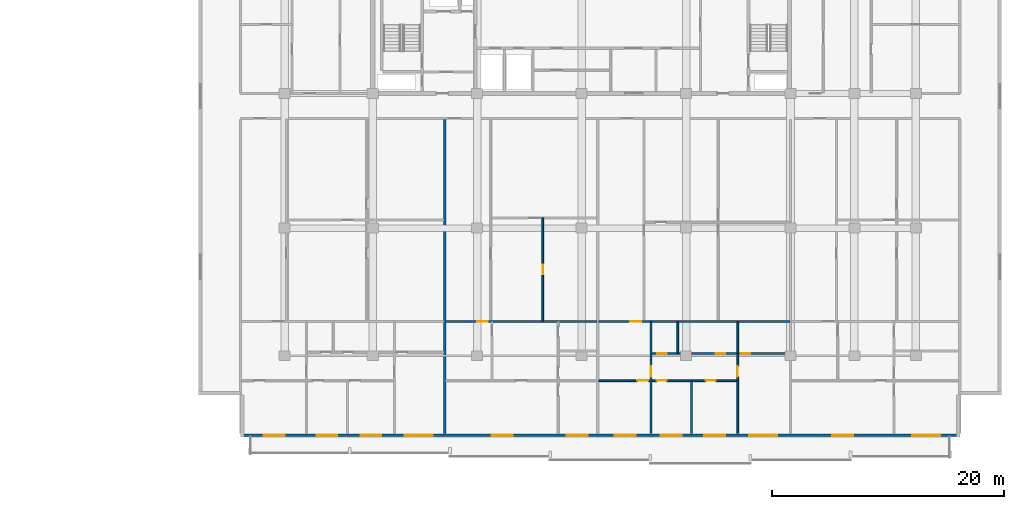
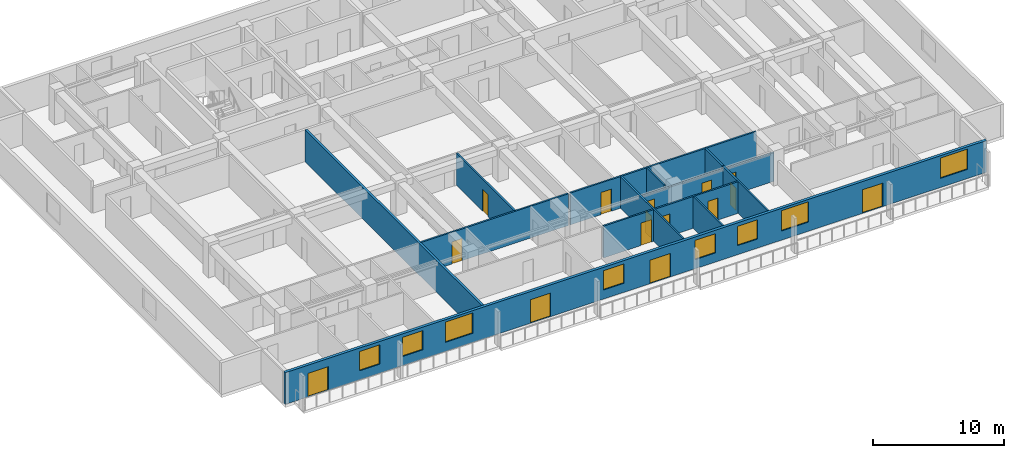
# One storey, part 5 of 23: 15 doors, 12 walls, 8 windows, 23 openings.
"""IFC4 building model written with IfcOpenShell, lengths in metres."""

from ifc_helpers import new_model, si_unit, direction, frame, frame_2d, origin, place, context, subcontext, project, spatial, rectangle, extrude, material, layer, layer_set, type_object, element, fill, save


model = new_model("IFC4")

# Units and contexts
model_context = context("Model", 3, precision=1e-05, world=origin(), true_north=direction((0.0, 1.0)))
body_context = subcontext(model_context, "Body", "Model", "MODEL_VIEW")
ifc_project = project(units=[si_unit("LENGTHUNIT", "METRE"), si_unit("AREAUNIT", "SQUARE_METRE"), si_unit("VOLUMEUNIT", "CUBIC_METRE"), si_unit("PLANEANGLEUNIT", "RADIAN"), si_unit("MASSUNIT", "GRAM", prefix="KILO")], contexts=[model_context])

# Site, building, storey
site_placement = place(None, origin())
site = spatial("IfcSite", under=ifc_project, at=site_placement, CompositionType="ELEMENT")
building_placement = place(site_placement, origin())
building = spatial("IfcBuilding", under=site, at=building_placement, Name="Korimba Cascade Residences", CompositionType="ELEMENT")
storey_placement = place(building_placement, frame((0.0, 0.0, 69.5)))
storey = spatial("IfcBuildingStorey", under=building, at=storey_placement, Name="L19", CompositionType="ELEMENT", Elevation=69.5)

# Wall, openings, doors, windows
ifc_material_1 = material(Name="Precast concrete C40/50", Category="concrete")
ifc_layer_1 = layer(ifc_material_1, 0.25)
ifc_layer_set_1 = layer_set([ifc_layer_1], Name="Precast concrete C40/50")
wall_type_1 = type_object("IfcWallType", Name="EW-LOG-250", PredefinedType="STANDARD", material=ifc_layer_set_1)
wall_1_placement = place(storey_placement, frame((70.699951171875, -11.050048828125, 0.0), z_axis=(0.0, 0.0, 1.0), x_axis=(1.0, 0.0, 0.0)))
wall_1 = element("IfcWall", 1, at=wall_1_placement, inside=storey, type_object=wall_type_1, Name="L19 T2 Perimeter Stone Wall E00", PredefinedType="STANDARD", context=body_context, shape_type="SweptSolid", body=[
    extrude(rectangle(XDim=62.0, YDim=0.25, at=frame_2d((31.0, 0.0))), origin(), (0.0, 0.0, 1.0), 2.969970703125),
])
opening_1_placement = place(wall_1_placement, frame((6.552490234375, 0.0, 0.85009765625)))
opening_1 = element("IfcOpeningElement", 2, at=opening_1_placement, cuts=wall_1, Name="Opening W-02", PredefinedType="OPENING", context=body_context, shape_type="SweptSolid", body=[
    extrude(rectangle(XDim=1.800048828125, YDim=1.800048828125, at=frame_2d((0.89990234375, 0.89990234375))), frame((0.0, 0.135009765625, 0.0), z_axis=(0.0, -1.0, 0.0), x_axis=(1.0, 0.0, 0.0)), (0.0, 0.0, 1.0), 0.27001953125),
])
opening_2_placement = place(wall_1_placement, frame((10.347412109375, 0.0, 0.85009765625)))
opening_2 = element("IfcOpeningElement", 3, at=opening_2_placement, cuts=wall_1, Name="Opening W-02", PredefinedType="OPENING", context=body_context, shape_type="SweptSolid", body=[
    extrude(rectangle(XDim=1.800048828125, YDim=1.800048828125, at=frame_2d((0.89990234375, 0.89990234375))), frame((0.0, 0.135009765625, 0.0), z_axis=(0.0, -1.0, 0.0), x_axis=(1.0, 0.0, 0.0)), (0.0, 0.0, 1.0), 0.27001953125),
])
opening_3_placement = place(wall_1_placement, frame((2.0, 0.0, 0.0)))
opening_3 = element("IfcOpeningElement", 4, at=opening_3_placement, cuts=wall_1, Name="Opening D-LG1", PredefinedType="OPENING", context=body_context, shape_type="SweptSolid", body=[
    extrude(rectangle(XDim=1.800048828125, YDim=2.199951171875, at=frame_2d((0.89990234375, 1.10009765625))), frame((0.0, 0.135009765625, 0.0), z_axis=(0.0, -1.0, 0.0), x_axis=(1.0, 0.0, 0.0)), (0.0, 0.0, 1.0), 0.27001953125),
])
opening_4_placement = place(wall_1_placement, frame((14.175048828125, 0.0, 0.85009765625)))
opening_4 = element("IfcOpeningElement", 5, at=opening_4_placement, cuts=wall_1, Name="Opening W-01", PredefinedType="OPENING", context=body_context, shape_type="SweptSolid", body=[
    extrude(rectangle(XDim=2.39990234375, YDim=1.89990234375, at=frame_2d((1.199951171875, 0.949951171875))), frame((0.0, 0.135009765625, 0.0), z_axis=(0.0, -1.0, 0.0), x_axis=(1.0, 0.0, 0.0)), (0.0, 0.0, 1.0), 0.27001953125),
])
opening_5_placement = place(wall_1_placement, frame((21.64990234375, 0.0, 0.0)))
opening_5 = element("IfcOpeningElement", 6, at=opening_5_placement, cuts=wall_1, Name="Opening D-LG1", PredefinedType="OPENING", context=body_context, shape_type="SweptSolid", body=[
    extrude(rectangle(XDim=1.800048828125, YDim=2.199951171875, at=frame_2d((0.89990234375, 1.10009765625))), frame((0.0, 0.135009765625, 0.0), z_axis=(0.0, -1.0, 0.0), x_axis=(1.0, 0.0, 0.0)), (0.0, 0.0, 1.0), 0.27001953125),
])
opening_6_placement = place(wall_1_placement, frame((28.1298828125, 0.0, 0.85009765625)))
opening_6 = element("IfcOpeningElement", 7, at=opening_6_placement, cuts=wall_1, Name="Opening W-02", PredefinedType="OPENING", context=body_context, shape_type="SweptSolid", body=[
    extrude(rectangle(XDim=1.800048828125, YDim=1.800048828125, at=frame_2d((0.89990234375, 0.89990234375))), frame((0.0, 0.135009765625, 0.0), z_axis=(0.0, -1.0, 0.0), x_axis=(1.0, 0.0, 0.0)), (0.0, 0.0, 1.0), 0.27001953125),
])
opening_7_placement = place(wall_1_placement, frame((36.222412109375, 0.0, 0.85009765625)))
opening_7 = element("IfcOpeningElement", 8, at=opening_7_placement, cuts=wall_1, Name="Opening W-02", PredefinedType="OPENING", context=body_context, shape_type="SweptSolid", body=[
    extrude(rectangle(XDim=1.800048828125, YDim=1.800048828125, at=frame_2d((0.89990234375, 0.89990234375))), frame((0.0, 0.135009765625, 0.0), z_axis=(0.0, -1.0, 0.0), x_axis=(1.0, 0.0, 0.0)), (0.0, 0.0, 1.0), 0.27001953125),
])
opening_8_placement = place(wall_1_placement, frame((39.95751953125, 0.0, 0.85009765625)))
opening_8 = element("IfcOpeningElement", 9, at=opening_8_placement, cuts=wall_1, Name="Opening W-02", PredefinedType="OPENING", context=body_context, shape_type="SweptSolid", body=[
    extrude(rectangle(XDim=1.800048828125, YDim=1.800048828125, at=frame_2d((0.89990234375, 0.89990234375))), frame((0.0, 0.135009765625, 0.0), z_axis=(0.0, -1.0, 0.0), x_axis=(1.0, 0.0, 0.0)), (0.0, 0.0, 1.0), 0.27001953125),
])
opening_9_placement = place(wall_1_placement, frame((32.25, 0.0, 0.0)))
opening_9 = element("IfcOpeningElement", 10, at=opening_9_placement, cuts=wall_1, Name="Opening D-LG1", PredefinedType="OPENING", context=body_context, shape_type="SweptSolid", body=[
    extrude(rectangle(XDim=1.800048828125, YDim=2.199951171875, at=frame_2d((0.89990234375, 1.10009765625))), frame((0.0, 0.135009765625, 0.0), z_axis=(0.0, -1.0, 0.0), x_axis=(1.0, 0.0, 0.0)), (0.0, 0.0, 1.0), 0.27001953125),
])
opening_10_placement = place(wall_1_placement, frame((43.864990234375, 0.0, 0.85009765625)))
opening_10 = element("IfcOpeningElement", 11, at=opening_10_placement, cuts=wall_1, Name="Opening W-01", PredefinedType="OPENING", context=body_context, shape_type="SweptSolid", body=[
    extrude(rectangle(XDim=2.39990234375, YDim=1.89990234375, at=frame_2d((1.199951171875, 0.949951171875))), frame((0.0, 0.135009765625, 0.0), z_axis=(0.0, -1.0, 0.0), x_axis=(1.0, 0.0, 0.0)), (0.0, 0.0, 1.0), 0.27001953125),
])
opening_11_placement = place(wall_1_placement, frame((51.02001953125, 0.0, 0.0)))
opening_11 = element("IfcOpeningElement", 12, at=opening_11_placement, cuts=wall_1, Name="Opening D-LG1", PredefinedType="OPENING", context=body_context, shape_type="SweptSolid", body=[
    extrude(rectangle(XDim=1.800048828125, YDim=2.199951171875, at=frame_2d((0.89990234375, 1.10009765625))), frame((0.0, 0.135009765625, 0.0), z_axis=(0.0, -1.0, 0.0), x_axis=(1.0, 0.0, 0.0)), (0.0, 0.0, 1.0), 0.27001953125),
])
opening_12_placement = place(wall_1_placement, frame((57.89990234375, 0.0, 0.85009765625)))
opening_12 = element("IfcOpeningElement", 13, at=opening_12_placement, cuts=wall_1, Name="Opening W-01", PredefinedType="OPENING", context=body_context, shape_type="SweptSolid", body=[
    extrude(rectangle(XDim=2.39990234375, YDim=1.89990234375, at=frame_2d((1.199951171875, 0.949951171875))), frame((0.0, 0.135009765625, 0.0), z_axis=(0.0, -1.0, 0.0), x_axis=(1.0, 0.0, 0.0)), (0.0, 0.0, 1.0), 0.27001953125),
])
ifc_material_2 = material(Name="Glazed Aluminium Loggia Sliding Door", Category="aluminium")
door_type_1 = type_object("IfcDoorType", Name="DR-EXT-LOG", OperationType="NOTDEFINED", PredefinedType="DOOR", material=ifc_material_2)
door_1_placement = place(opening_3_placement, origin())
door_1 = element("IfcDoor", 14, at=door_1_placement, inside=storey, type_object=door_type_1, Name="L19 T2 Loggia Sliding Door 5", OperationType="SLIDING_TO_RIGHT", OverallHeight=2.199951171875, OverallWidth=1.800048828125, PredefinedType="DOOR", context=body_context, shape_type="SweptSolid", body=[
    extrude(rectangle(XDim=1.800048828125, YDim=2.199951171875, at=frame_2d((0.89990234375, 1.10009765625))), frame((0.0, 0.02490234375, 0.0), z_axis=(0.0, -1.0, 0.0), x_axis=(1.0, 0.0, 0.0)), (0.0, 0.0, 1.0), 0.050048828125),
])
fill(opening_3, door_1)
door_2_placement = place(opening_5_placement, origin())
door_2 = element("IfcDoor", 15, at=door_2_placement, inside=storey, type_object=door_type_1, Name="L19 T2 Loggia Sliding Door 7", OperationType="SLIDING_TO_RIGHT", OverallHeight=2.199951171875, OverallWidth=1.800048828125, PredefinedType="DOOR", context=body_context, shape_type="SweptSolid", body=[
    extrude(rectangle(XDim=1.800048828125, YDim=2.199951171875, at=frame_2d((0.89990234375, 1.10009765625))), frame((0.0, 0.02490234375, 0.0), z_axis=(0.0, -1.0, 0.0), x_axis=(1.0, 0.0, 0.0)), (0.0, 0.0, 1.0), 0.050048828125),
])
fill(opening_5, door_2)
door_3_placement = place(opening_9_placement, origin())
door_3 = element("IfcDoor", 16, at=door_3_placement, inside=storey, type_object=door_type_1, Name="L19 T2 Loggia Sliding Door 11", OperationType="SLIDING_TO_RIGHT", OverallHeight=2.199951171875, OverallWidth=1.800048828125, PredefinedType="DOOR", context=body_context, shape_type="SweptSolid", body=[
    extrude(rectangle(XDim=1.800048828125, YDim=2.199951171875, at=frame_2d((0.89990234375, 1.10009765625))), frame((0.0, 0.02490234375, 0.0), z_axis=(0.0, -1.0, 0.0), x_axis=(1.0, 0.0, 0.0)), (0.0, 0.0, 1.0), 0.050048828125),
])
fill(opening_9, door_3)
door_4_placement = place(opening_11_placement, origin())
door_4 = element("IfcDoor", 17, at=door_4_placement, inside=storey, type_object=door_type_1, Name="L19 T2 Loggia Sliding Door 13", OperationType="SLIDING_TO_RIGHT", OverallHeight=2.199951171875, OverallWidth=1.800048828125, PredefinedType="DOOR", context=body_context, shape_type="SweptSolid", body=[
    extrude(rectangle(XDim=1.800048828125, YDim=2.199951171875, at=frame_2d((0.89990234375, 1.10009765625))), frame((0.0, 0.02490234375, 0.0), z_axis=(0.0, -1.0, 0.0), x_axis=(1.0, 0.0, 0.0)), (0.0, 0.0, 1.0), 0.050048828125),
])
fill(opening_11, door_4)
ifc_material_3 = material(Name="Double-Glazed Aluminium Window", Category="aluminium")
window_type_1 = type_object("IfcWindowType", Name="WIN-BED-1800", PartitioningType="SINGLE_PANEL", PredefinedType="WINDOW", material=ifc_material_3)
window_1_placement = place(opening_1_placement, origin())
window_1 = element("IfcWindow", 18, at=window_1_placement, inside=storey, type_object=window_type_1, Name="L19 T2 South Facade Window 3", OverallHeight=1.800048828125, OverallWidth=1.800048828125, PartitioningType="SINGLE_PANEL", PredefinedType="WINDOW", context=body_context, shape_type="SweptSolid", body=[
    extrude(rectangle(XDim=1.800048828125, YDim=1.800048828125, at=frame_2d((0.89990234375, 0.89990234375))), frame((0.0, 0.030029296875, 0.0), z_axis=(0.0, -1.0, 0.0), x_axis=(1.0, 0.0, 0.0)), (0.0, 0.0, 1.0), 0.06005859375),
])
fill(opening_1, window_1)
window_2_placement = place(opening_2_placement, origin())
window_2 = element("IfcWindow", 19, at=window_2_placement, inside=storey, type_object=window_type_1, Name="L19 T2 South Facade Window 4", OverallHeight=1.800048828125, OverallWidth=1.800048828125, PartitioningType="SINGLE_PANEL", PredefinedType="WINDOW", context=body_context, shape_type="SweptSolid", body=[
    extrude(rectangle(XDim=1.800048828125, YDim=1.800048828125, at=frame_2d((0.89990234375, 0.89990234375))), frame((0.0, 0.030029296875, 0.0), z_axis=(0.0, -1.0, 0.0), x_axis=(1.0, 0.0, 0.0)), (0.0, 0.0, 1.0), 0.06005859375),
])
fill(opening_2, window_2)
window_3_placement = place(opening_6_placement, origin())
window_3 = element("IfcWindow", 20, at=window_3_placement, inside=storey, type_object=window_type_1, Name="L19 T2 South Facade Window 8", OverallHeight=1.800048828125, OverallWidth=1.800048828125, PartitioningType="SINGLE_PANEL", PredefinedType="WINDOW", context=body_context, shape_type="SweptSolid", body=[
    extrude(rectangle(XDim=1.800048828125, YDim=1.800048828125, at=frame_2d((0.89990234375, 0.89990234375))), frame((0.0, 0.030029296875, 0.0), z_axis=(0.0, -1.0, 0.0), x_axis=(1.0, 0.0, 0.0)), (0.0, 0.0, 1.0), 0.06005859375),
])
fill(opening_6, window_3)
window_4_placement = place(opening_7_placement, origin())
window_4 = element("IfcWindow", 21, at=window_4_placement, inside=storey, type_object=window_type_1, Name="L19 T2 South Facade Window 9", OverallHeight=1.800048828125, OverallWidth=1.800048828125, PartitioningType="SINGLE_PANEL", PredefinedType="WINDOW", context=body_context, shape_type="SweptSolid", body=[
    extrude(rectangle(XDim=1.800048828125, YDim=1.800048828125, at=frame_2d((0.89990234375, 0.89990234375))), frame((0.0, 0.030029296875, 0.0), z_axis=(0.0, -1.0, 0.0), x_axis=(1.0, 0.0, 0.0)), (0.0, 0.0, 1.0), 0.06005859375),
])
fill(opening_7, window_4)
window_5_placement = place(opening_8_placement, origin())
window_5 = element("IfcWindow", 22, at=window_5_placement, inside=storey, type_object=window_type_1, Name="L19 T2 South Facade Window 10", OverallHeight=1.800048828125, OverallWidth=1.800048828125, PartitioningType="SINGLE_PANEL", PredefinedType="WINDOW", context=body_context, shape_type="SweptSolid", body=[
    extrude(rectangle(XDim=1.800048828125, YDim=1.800048828125, at=frame_2d((0.89990234375, 0.89990234375))), frame((0.0, 0.030029296875, 0.0), z_axis=(0.0, -1.0, 0.0), x_axis=(1.0, 0.0, 0.0)), (0.0, 0.0, 1.0), 0.06005859375),
])
fill(opening_8, window_5)
window_type_2 = type_object("IfcWindowType", Name="WIN-RES-2400", PartitioningType="DOUBLE_PANEL_VERTICAL", PredefinedType="WINDOW", material=ifc_material_3)
window_6_placement = place(opening_4_placement, origin())
window_6 = element("IfcWindow", 23, at=window_6_placement, inside=storey, type_object=window_type_2, Name="L19 T2 South Facade Window 6", OverallHeight=1.89990234375, OverallWidth=2.39990234375, PartitioningType="DOUBLE_PANEL_VERTICAL", PredefinedType="WINDOW", context=body_context, shape_type="SweptSolid", body=[
    extrude(rectangle(XDim=2.39990234375, YDim=1.89990234375, at=frame_2d((1.199951171875, 0.949951171875))), frame((0.0, 0.030029296875, 0.0), z_axis=(0.0, -1.0, 0.0), x_axis=(1.0, 0.0, 0.0)), (0.0, 0.0, 1.0), 0.06005859375),
])
fill(opening_4, window_6)
window_7_placement = place(opening_10_placement, origin())
window_7 = element("IfcWindow", 24, at=window_7_placement, inside=storey, type_object=window_type_2, Name="L19 T2 South Facade Window 12", OverallHeight=1.89990234375, OverallWidth=2.39990234375, PartitioningType="DOUBLE_PANEL_VERTICAL", PredefinedType="WINDOW", context=body_context, shape_type="SweptSolid", body=[
    extrude(rectangle(XDim=2.39990234375, YDim=1.89990234375, at=frame_2d((1.199951171875, 0.949951171875))), frame((0.0, 0.030029296875, 0.0), z_axis=(0.0, -1.0, 0.0), x_axis=(1.0, 0.0, 0.0)), (0.0, 0.0, 1.0), 0.06005859375),
])
fill(opening_10, window_7)
window_8_placement = place(opening_12_placement, origin())
window_8 = element("IfcWindow", 25, at=window_8_placement, inside=storey, type_object=window_type_2, Name="L19 T2 South Facade Window 14", OverallHeight=1.89990234375, OverallWidth=2.39990234375, PartitioningType="DOUBLE_PANEL_VERTICAL", PredefinedType="WINDOW", context=body_context, shape_type="SweptSolid", body=[
    extrude(rectangle(XDim=2.39990234375, YDim=1.89990234375, at=frame_2d((1.199951171875, 0.949951171875))), frame((0.0, 0.030029296875, 0.0), z_axis=(0.0, -1.0, 0.0), x_axis=(1.0, 0.0, 0.0)), (0.0, 0.0, 1.0), 0.06005859375),
])
fill(opening_12, window_8)

# Wall
ifc_layer_2 = layer(ifc_material_1, 0.199951171875)
ifc_layer_set_2 = layer_set([ifc_layer_2], Name="Precast concrete C40/50")
wall_type_2 = type_object("IfcWallType", Name="WAL-IT-200", PredefinedType="PARTITIONING", material=ifc_layer_set_2)
wall_2_placement = place(storey_placement, frame((88.300048828125, -10.89990234375, 0.0), z_axis=(0.0, 0.0, 1.0), x_axis=(0.0, 1.0, 0.0)))
element("IfcWall", 26, at=wall_2_placement, inside=storey, type_object=wall_type_2, Name="L19 Partition Wall WAL-L19-T2-DEM-1", PredefinedType="PARTITIONING", context=body_context, shape_type="SweptSolid", body=[
    extrude(rectangle(XDim=27.06982421875, YDim=0.199951171875, at=frame_2d((13.534912109375, 0.0))), origin(), (0.0, 0.0, 1.0), 2.969970703125),
])

# Wall, opening, door
ifc_material_4 = material(Name="Insulated Acoustic Stud Partition", Category="gypsum")
ifc_layer_3 = layer(ifc_material_4, 0.14990234375)
ifc_layer_set_3 = layer_set([ifc_layer_3], Name="Insulated Acoustic Stud Partition")
wall_type_3 = type_object("IfcWallType", Name="WAL-PART-150", PredefinedType="PARTITIONING", material=ifc_layer_set_3)
wall_3_placement = place(storey_placement, frame((96.7548828125, -1.2099609375, 0.0), z_axis=(0.0, 0.0, 1.0), x_axis=(0.0, 1.0, 0.0)))
wall_3 = element("IfcWall", 27, at=wall_3_placement, inside=storey, type_object=wall_type_3, Name="L19 Partition Wall WAL-L19-T2-U02-FMV", PredefinedType="PARTITIONING", context=body_context, shape_type="SweptSolid", body=[
    extrude(rectangle(XDim=8.8798828125, YDim=0.14990234375, at=frame_2d((4.43994140625, 0.0))), origin(), (0.0, 0.0, 1.0), 2.969970703125),
])
opening_13_placement = place(wall_3_placement, frame((4.02001953125, 0.0, 0.0)))
opening_13 = element("IfcOpeningElement", 28, at=opening_13_placement, cuts=wall_3, Name="Opening D-BT1", PredefinedType="OPENING", context=body_context, shape_type="SweptSolid", body=[
    extrude(rectangle(XDim=0.840087890625, YDim=2.0400390625, at=frame_2d((0.419921875, 1.02001953125))), frame((0.0, 0.0849609375, 0.0), z_axis=(0.0, -1.0, 0.0), x_axis=(1.0, 0.0, 0.0)), (0.0, 0.0, 1.0), 0.169921875),
])
ifc_material_5 = material(Name="Moisture-Resistant Bathroom Timber Door", Category="wood")
door_type_2 = type_object("IfcDoorType", Name="DR-INT-850", OperationType="NOTDEFINED", PredefinedType="DOOR", material=ifc_material_5)
door_5_placement = place(opening_13_placement, origin())
door_5 = element("IfcDoor", 29, at=door_5_placement, inside=storey, type_object=door_type_2, Name="L19-T2-U02 Wardrobe Door", OperationType="SINGLE_SWING_RIGHT", OverallHeight=2.0400390625, OverallWidth=0.840087890625, PredefinedType="DOOR", context=body_context, shape_type="SweptSolid", body=[
    extrude(rectangle(XDim=0.840087890625, YDim=2.0400390625, at=frame_2d((0.419921875, 1.02001953125))), frame((0.0, 0.02490234375, 0.0), z_axis=(0.0, -1.0, 0.0), x_axis=(1.0, 0.0, 0.0)), (0.0, 0.0, 1.0), 0.050048828125),
])
fill(opening_13, door_5)

wall_4_placement = place(storey_placement, frame((88.3798828125, -1.25, 0.0), z_axis=(0.0, 0.0, 1.0), x_axis=(1.0, 0.0, 0.0)))
wall_4 = element("IfcWall", 30, at=wall_4_placement, inside=storey, type_object=wall_type_3, Name="L19 Partition Wall WAL-L19-T2-U02-MW", PredefinedType="PARTITIONING", context=body_context, shape_type="SweptSolid", body=[
    extrude(rectangle(XDim=13.0400390625, YDim=0.14990234375, at=frame_2d((6.52001953125, 0.0))), origin(), (0.0, 0.0, 1.0), 2.969970703125),
])
opening_14_placement = place(wall_4_placement, frame((2.719970703125, 0.0, 0.0)))
opening_14 = element("IfcOpeningElement", 31, at=opening_14_placement, cuts=wall_4, Name="Opening D-IN1", PredefinedType="OPENING", context=body_context, shape_type="SweptSolid", body=[
    extrude(rectangle(XDim=0.919921875, YDim=2.080078125, at=frame_2d((0.4599609375, 1.0400390625))), frame((0.0, 0.0849609375, 0.0), z_axis=(0.0, -1.0, 0.0), x_axis=(1.0, 0.0, 0.0)), (0.0, 0.0, 1.0), 0.169921875),
])
ifc_material_6 = material(Name="Acoustic Timber Living Door", Category="wood")
door_type_3 = type_object("IfcDoorType", Name="DR-INT-920", OperationType="NOTDEFINED", PredefinedType="DOOR", material=ifc_material_6)
door_6_placement = place(opening_14_placement, origin())
door_6 = element("IfcDoor", 32, at=door_6_placement, inside=storey, type_object=door_type_3, Name="L19-T2-U02 Kitchen Archway Door", OperationType="SINGLE_SWING_LEFT", OverallHeight=2.080078125, OverallWidth=0.919921875, PredefinedType="DOOR", context=body_context, shape_type="SweptSolid", body=[
    extrude(rectangle(XDim=0.919921875, YDim=2.080078125, at=frame_2d((0.4599609375, 1.0400390625))), frame((0.0, 0.02490234375, 0.0), z_axis=(0.0, -1.0, 0.0), x_axis=(1.0, 0.0, 0.0)), (0.0, 0.0, 1.0), 0.050048828125),
])
fill(opening_14, door_6)

# Walls
wall_5_placement = place(storey_placement, frame((108.389892578125, -3.97998046875, 0.0), z_axis=(0.0, 0.0, 1.0), x_axis=(0.0, 1.0, 0.0)))
element("IfcWall", 33, at=wall_5_placement, inside=storey, type_object=wall_type_3, Name="L19 Partition Wall WAL-L19-T2-U03-VDRS", PredefinedType="PARTITIONING", context=body_context, shape_type="SweptSolid", body=[
    extrude(rectangle(XDim=2.68994140625, YDim=0.14990234375, at=frame_2d((1.344970703125, 0.0))), origin(), (0.0, 0.0, 1.0), 2.969970703125),
])
wall_6_placement = place(storey_placement, frame((109.56494140625, -10.89990234375, 0.0), z_axis=(0.0, 0.0, 1.0), x_axis=(0.0, 1.0, 0.0)))
element("IfcWall", 34, at=wall_6_placement, inside=storey, type_object=wall_type_3, Name="L19 Partition Wall WAL-L19-T2-U03-VSTD", PredefinedType="PARTITIONING", context=body_context, shape_type="SweptSolid", body=[
    extrude(rectangle(XDim=4.469970703125, YDim=0.14990234375, at=frame_2d((2.23486328125, 0.0))), origin(), (0.0, 0.0, 1.0), 2.969970703125),
])

# Wall, opening, door
wall_7_placement = place(storey_placement, frame((106.080078125, -10.89990234375, 0.0), z_axis=(0.0, 0.0, 1.0), x_axis=(0.0, 1.0, 0.0)))
wall_7 = element("IfcWall", 35, at=wall_7_placement, inside=storey, type_object=wall_type_3, Name="L19 Partition Wall WAL-L19-T2-U03-V1", PredefinedType="PARTITIONING", context=body_context, shape_type="SweptSolid", body=[
    extrude(rectangle(XDim=9.60986328125, YDim=0.14990234375, at=frame_2d((4.804931640625, 0.0))), origin(), (0.0, 0.0, 1.0), 2.969970703125),
])
opening_15_placement = place(wall_7_placement, frame((4.8701171875, 0.0, 0.0)))
opening_15 = element("IfcOpeningElement", 36, at=opening_15_placement, cuts=wall_7, Name="Opening D-IN1", PredefinedType="OPENING", context=body_context, shape_type="SweptSolid", body=[
    extrude(rectangle(XDim=0.919921875, YDim=2.080078125, at=frame_2d((0.4599609375, 1.0400390625))), frame((0.0, 0.0849609375, 0.0), z_axis=(0.0, -1.0, 0.0), x_axis=(1.0, 0.0, 0.0)), (0.0, 0.0, 1.0), 0.169921875),
])
door_7_placement = place(opening_15_placement, origin())
door_7 = element("IfcDoor", 37, at=door_7_placement, inside=storey, type_object=door_type_3, Name="L19-T2-U03 Hallway Door", OperationType="SINGLE_SWING_LEFT", OverallHeight=2.080078125, OverallWidth=0.919921875, PredefinedType="DOOR", context=body_context, shape_type="SweptSolid", body=[
    extrude(rectangle(XDim=0.919921875, YDim=2.080078125, at=frame_2d((0.4599609375, 1.0400390625))), frame((0.0, 0.02490234375, 0.0), z_axis=(0.0, -1.0, 0.0), x_axis=(1.0, 0.0, 0.0)), (0.0, 0.0, 1.0), 0.050048828125),
])
fill(opening_15, door_7)

# Wall
wall_8_placement = place(storey_placement, frame((113.550048828125, -3.97998046875, 0.0), z_axis=(0.0, 0.0, 1.0), x_axis=(0.0, 1.0, 0.0)))
element("IfcWall", 38, at=wall_8_placement, inside=storey, type_object=wall_type_3, Name="L19 Partition Wall WAL-L19-T2-U03-VBATH", PredefinedType="PARTITIONING", context=body_context, shape_type="SweptSolid", body=[
    extrude(rectangle(XDim=2.68994140625, YDim=0.14990234375, at=frame_2d((1.344970703125, 0.0))), origin(), (0.0, 0.0, 1.0), 2.969970703125),
])

# Wall, opening, door
wall_9_placement = place(storey_placement, frame((113.550048828125, -10.89990234375, 0.0), z_axis=(0.0, 0.0, 1.0), x_axis=(0.0, 1.0, 0.0)))
wall_9 = element("IfcWall", 39, at=wall_9_placement, inside=storey, type_object=wall_type_3, Name="L19 Partition Wall WAL-L19-T2-U03-V2FULL", PredefinedType="PARTITIONING", context=body_context, shape_type="SweptSolid", body=[
    extrude(rectangle(XDim=6.8798828125, YDim=0.14990234375, at=frame_2d((3.43994140625, 0.0))), origin(), (0.0, 0.0, 1.0), 2.969970703125),
])
opening_16_placement = place(wall_9_placement, frame((4.8701171875, 0.0, 0.0)))
opening_16 = element("IfcOpeningElement", 40, at=opening_16_placement, cuts=wall_9, Name="Opening D-IN1", PredefinedType="OPENING", context=body_context, shape_type="SweptSolid", body=[
    extrude(rectangle(XDim=0.919921875, YDim=2.080078125, at=frame_2d((0.4599609375, 1.0400390625))), frame((0.0, 0.0849609375, 0.0), z_axis=(0.0, -1.0, 0.0), x_axis=(1.0, 0.0, 0.0)), (0.0, 0.0, 1.0), 0.169921875),
])
door_8_placement = place(opening_16_placement, origin())
door_8 = element("IfcDoor", 41, at=door_8_placement, inside=storey, type_object=door_type_3, Name="L19-T2-U03 Master Bedroom Door", OperationType="SINGLE_SWING_RIGHT", OverallHeight=2.080078125, OverallWidth=0.919921875, PredefinedType="DOOR", context=body_context, shape_type="SweptSolid", body=[
    extrude(rectangle(XDim=0.919921875, YDim=2.080078125, at=frame_2d((0.4599609375, 1.0400390625))), frame((0.0, 0.02490234375, 0.0), z_axis=(0.0, -1.0, 0.0), x_axis=(1.0, 0.0, 0.0)), (0.0, 0.0, 1.0), 0.050048828125),
])
fill(opening_16, door_8)

# Wall, openings, doors
wall_10_placement = place(storey_placement, frame((106.1201171875, -4.0, 0.0), z_axis=(0.0, 0.0, 1.0), x_axis=(1.0, 0.0, 0.0)))
wall_10 = element("IfcWall", 42, at=wall_10_placement, inside=storey, type_object=wall_type_3, Name="L19 Partition Wall WAL-L19-T2-U03-HWALL", PredefinedType="PARTITIONING", context=body_context, shape_type="SweptSolid", body=[
    extrude(rectangle(XDim=11.89990234375, YDim=0.14990234375, at=frame_2d((5.949951171875, 0.0))), origin(), (0.0, 0.0, 1.0), 2.663330078125),
])
opening_17_placement = place(wall_10_placement, frame((0.48046875, 0.0, 0.0)))
opening_17 = element("IfcOpeningElement", 43, at=opening_17_placement, cuts=wall_10, Name="Opening D-BT1", PredefinedType="OPENING", context=body_context, shape_type="SweptSolid", body=[
    extrude(rectangle(XDim=0.840087890625, YDim=2.0400390625, at=frame_2d((0.419921875, 1.02001953125))), frame((0.0, 0.0849609375, 0.0), z_axis=(0.0, -1.0, 0.0), x_axis=(1.0, 0.0, 0.0)), (0.0, 0.0, 1.0), 0.169921875),
])
opening_18_placement = place(wall_10_placement, frame((5.530029296875, 0.0, 0.0)))
opening_18 = element("IfcOpeningElement", 44, at=opening_18_placement, cuts=wall_10, Name="Opening D-BT1", PredefinedType="OPENING", context=body_context, shape_type="SweptSolid", body=[
    extrude(rectangle(XDim=0.840087890625, YDim=2.0400390625, at=frame_2d((0.419921875, 1.02001953125))), frame((0.0, 0.0849609375, 0.0), z_axis=(0.0, -1.0, 0.0), x_axis=(1.0, 0.0, 0.0)), (0.0, 0.0, 1.0), 0.169921875),
])
opening_19_placement = place(wall_10_placement, frame((7.679931640625, 0.0, 0.0)))
opening_19 = element("IfcOpeningElement", 45, at=opening_19_placement, cuts=wall_10, Name="Opening D-BT1", PredefinedType="OPENING", context=body_context, shape_type="SweptSolid", body=[
    extrude(rectangle(XDim=0.840087890625, YDim=2.0400390625, at=frame_2d((0.419921875, 1.02001953125))), frame((0.0, 0.0849609375, 0.0), z_axis=(0.0, -1.0, 0.0), x_axis=(1.0, 0.0, 0.0)), (0.0, 0.0, 1.0), 0.169921875),
])
door_9_placement = place(opening_17_placement, origin())
door_9 = element("IfcDoor", 46, at=door_9_placement, inside=storey, type_object=door_type_2, Name="L19-T2-U03 Family Bathroom Door", OperationType="SINGLE_SWING_LEFT", OverallHeight=2.0400390625, OverallWidth=0.840087890625, PredefinedType="DOOR", context=body_context, shape_type="SweptSolid", body=[
    extrude(rectangle(XDim=0.840087890625, YDim=2.0400390625, at=frame_2d((0.419921875, 1.02001953125))), frame((0.0, 0.02490234375, 0.0), z_axis=(0.0, -1.0, 0.0), x_axis=(1.0, 0.0, 0.0)), (0.0, 0.0, 1.0), 0.050048828125),
])
fill(opening_17, door_9)
door_10_placement = place(opening_18_placement, origin())
door_10 = element("IfcDoor", 47, at=door_10_placement, inside=storey, type_object=door_type_2, Name="L19-T2-U03 Dressing Room Door", OperationType="SINGLE_SWING_RIGHT", OverallHeight=2.0400390625, OverallWidth=0.840087890625, PredefinedType="DOOR", context=body_context, shape_type="SweptSolid", body=[
    extrude(rectangle(XDim=0.840087890625, YDim=2.0400390625, at=frame_2d((0.419921875, 1.02001953125))), frame((0.0, 0.02490234375, 0.0), z_axis=(0.0, -1.0, 0.0), x_axis=(1.0, 0.0, 0.0)), (0.0, 0.0, 1.0), 0.050048828125),
])
fill(opening_18, door_10)
door_11_placement = place(opening_19_placement, origin())
door_11 = element("IfcDoor", 48, at=door_11_placement, inside=storey, type_object=door_type_2, Name="L19-T2-U03 En-Suite Door", OperationType="SINGLE_SWING_LEFT", OverallHeight=2.0400390625, OverallWidth=0.840087890625, PredefinedType="DOOR", context=body_context, shape_type="SweptSolid", body=[
    extrude(rectangle(XDim=0.840087890625, YDim=2.0400390625, at=frame_2d((0.419921875, 1.02001953125))), frame((0.0, 0.02490234375, 0.0), z_axis=(0.0, -1.0, 0.0), x_axis=(1.0, 0.0, 0.0)), (0.0, 0.0, 1.0), 0.050048828125),
])
fill(opening_19, door_11)

# Wall, opening, door
wall_11_placement = place(storey_placement, frame((101.580078125, -1.25, 0.0), z_axis=(0.0, 0.0, 1.0), x_axis=(1.0, 0.0, 0.0)))
wall_11 = element("IfcWall", 49, at=wall_11_placement, inside=storey, type_object=wall_type_3, Name="L19 Partition Wall WAL-L19-T2-U03-MW", PredefinedType="PARTITIONING", context=body_context, shape_type="SweptSolid", body=[
    extrude(rectangle(XDim=16.43994140625, YDim=0.14990234375, at=frame_2d((8.219970703125, 0.0))), origin(), (0.0, 0.0, 1.0), 2.969970703125),
])
opening_20_placement = place(wall_11_placement, frame((2.719970703125, 0.0, 0.0)))
opening_20 = element("IfcOpeningElement", 50, at=opening_20_placement, cuts=wall_11, Name="Opening D-IN1", PredefinedType="OPENING", context=body_context, shape_type="SweptSolid", body=[
    extrude(rectangle(XDim=0.919921875, YDim=2.080078125, at=frame_2d((0.4599609375, 1.0400390625))), frame((0.0, 0.0849609375, 0.0), z_axis=(0.0, -1.0, 0.0), x_axis=(1.0, 0.0, 0.0)), (0.0, 0.0, 1.0), 0.169921875),
])
door_12_placement = place(opening_20_placement, origin())
door_12 = element("IfcDoor", 51, at=door_12_placement, inside=storey, type_object=door_type_3, Name="L19-T2-U03 Kitchen Door", OperationType="SINGLE_SWING_RIGHT", OverallHeight=2.080078125, OverallWidth=0.919921875, PredefinedType="DOOR", context=body_context, shape_type="SweptSolid", body=[
    extrude(rectangle(XDim=0.919921875, YDim=2.080078125, at=frame_2d((0.4599609375, 1.0400390625))), frame((0.0, 0.02490234375, 0.0), z_axis=(0.0, -1.0, 0.0), x_axis=(1.0, 0.0, 0.0)), (0.0, 0.0, 1.0), 0.050048828125),
])
fill(opening_20, door_12)

# Wall, openings, doors
wall_12_placement = place(storey_placement, frame((101.580078125, -6.35009765625, 0.0), z_axis=(0.0, 0.0, 1.0), x_axis=(1.0, 0.0, 0.0)))
wall_12 = element("IfcWall", 52, at=wall_12_placement, inside=storey, type_object=wall_type_3, Name="L19 Partition Wall WAL-L19-T2-U03-HZ", PredefinedType="PARTITIONING", context=body_context, shape_type="SweptSolid", body=[
    extrude(rectangle(XDim=11.969970703125, YDim=0.14990234375, at=frame_2d((5.98486328125, 0.0))), origin(), (0.0, 0.0, 1.0), 2.969970703125),
])
opening_21_placement = place(wall_12_placement, frame((3.31005859375, 0.0, 0.0)))
opening_21 = element("IfcOpeningElement", 53, at=opening_21_placement, cuts=wall_12, Name="Opening D-IN0", PredefinedType="OPENING", context=body_context, shape_type="SweptSolid", body=[
    extrude(rectangle(XDim=0.93994140625, YDim=2.10009765625, at=frame_2d((0.469970703125, 1.050048828125))), frame((0.0, 0.0849609375, 0.0), z_axis=(0.0, -1.0, 0.0), x_axis=(1.0, 0.0, 0.0)), (0.0, 0.0, 1.0), 0.169921875),
])
opening_22_placement = place(wall_12_placement, frame((4.979736328125, 0.0, 0.0)))
opening_22 = element("IfcOpeningElement", 54, at=opening_22_placement, cuts=wall_12, Name="Opening D-IN2", PredefinedType="OPENING", context=body_context, shape_type="SweptSolid", body=[
    extrude(rectangle(XDim=0.8798828125, YDim=2.06005859375, at=frame_2d((0.43994140625, 1.030029296875))), frame((0.0, 0.0849609375, 0.0), z_axis=(0.0, -1.0, 0.0), x_axis=(1.0, 0.0, 0.0)), (0.0, 0.0, 1.0), 0.169921875),
])
opening_23_placement = place(wall_12_placement, frame((9.2177734375, 0.0, 0.0)))
opening_23 = element("IfcOpeningElement", 55, at=opening_23_placement, cuts=wall_12, Name="Opening D-IN2", PredefinedType="OPENING", context=body_context, shape_type="SweptSolid", body=[
    extrude(rectangle(XDim=0.8798828125, YDim=2.06005859375, at=frame_2d((0.43994140625, 1.030029296875))), frame((0.0, 0.0849609375, 0.0), z_axis=(0.0, -1.0, 0.0), x_axis=(1.0, 0.0, 0.0)), (0.0, 0.0, 1.0), 0.169921875),
])
ifc_material_7 = material(Name="Acoustic Timber Bedroom Door", Category="wood")
door_type_4 = type_object("IfcDoorType", Name="DR-INT-880", OperationType="NOTDEFINED", PredefinedType="DOOR", material=ifc_material_7)
door_13_placement = place(opening_22_placement, origin())
door_13 = element("IfcDoor", 56, at=door_13_placement, inside=storey, type_object=door_type_4, Name="L19-T2-U03 Bedroom 2 Door", OperationType="SINGLE_SWING_RIGHT", OverallHeight=2.06005859375, OverallWidth=0.8798828125, PredefinedType="DOOR", context=body_context, shape_type="SweptSolid", body=[
    extrude(rectangle(XDim=0.8798828125, YDim=2.06005859375, at=frame_2d((0.43994140625, 1.030029296875))), frame((0.0, 0.02490234375, 0.0), z_axis=(0.0, -1.0, 0.0), x_axis=(1.0, 0.0, 0.0)), (0.0, 0.0, 1.0), 0.050048828125),
])
fill(opening_22, door_13)
door_14_placement = place(opening_23_placement, origin())
door_14 = element("IfcDoor", 57, at=door_14_placement, inside=storey, type_object=door_type_4, Name="L19-T2-U03 Study Door", OperationType="SINGLE_SWING_LEFT", OverallHeight=2.06005859375, OverallWidth=0.8798828125, PredefinedType="DOOR", context=body_context, shape_type="SweptSolid", body=[
    extrude(rectangle(XDim=0.8798828125, YDim=2.06005859375, at=frame_2d((0.43994140625, 1.030029296875))), frame((0.0, 0.02490234375, 0.0), z_axis=(0.0, -1.0, 0.0), x_axis=(1.0, 0.0, 0.0)), (0.0, 0.0, 1.0), 0.050048828125),
])
fill(opening_23, door_14)
ifc_material_8 = material(Name="Acoustic Timber Living Archway Door", Category="wood")
door_type_5 = type_object("IfcDoorType", Name="DR-INT-950", OperationType="NOTDEFINED", PredefinedType="DOOR", material=ifc_material_8)
door_15_placement = place(opening_21_placement, origin())
door_15 = element("IfcDoor", 58, at=door_15_placement, inside=storey, type_object=door_type_5, Name="L19-T2-U03 Living Room Door", OperationType="SINGLE_SWING_LEFT", OverallHeight=2.10009765625, OverallWidth=0.93994140625, PredefinedType="DOOR", context=body_context, shape_type="SweptSolid", body=[
    extrude(rectangle(XDim=0.93994140625, YDim=2.10009765625, at=frame_2d((0.469970703125, 1.050048828125))), frame((0.0, 0.02490234375, 0.0), z_axis=(0.0, -1.0, 0.0), x_axis=(1.0, 0.0, 0.0)), (0.0, 0.0, 1.0), 0.050048828125),
])
fill(opening_21, door_15)

save(model, "model.ifc")
